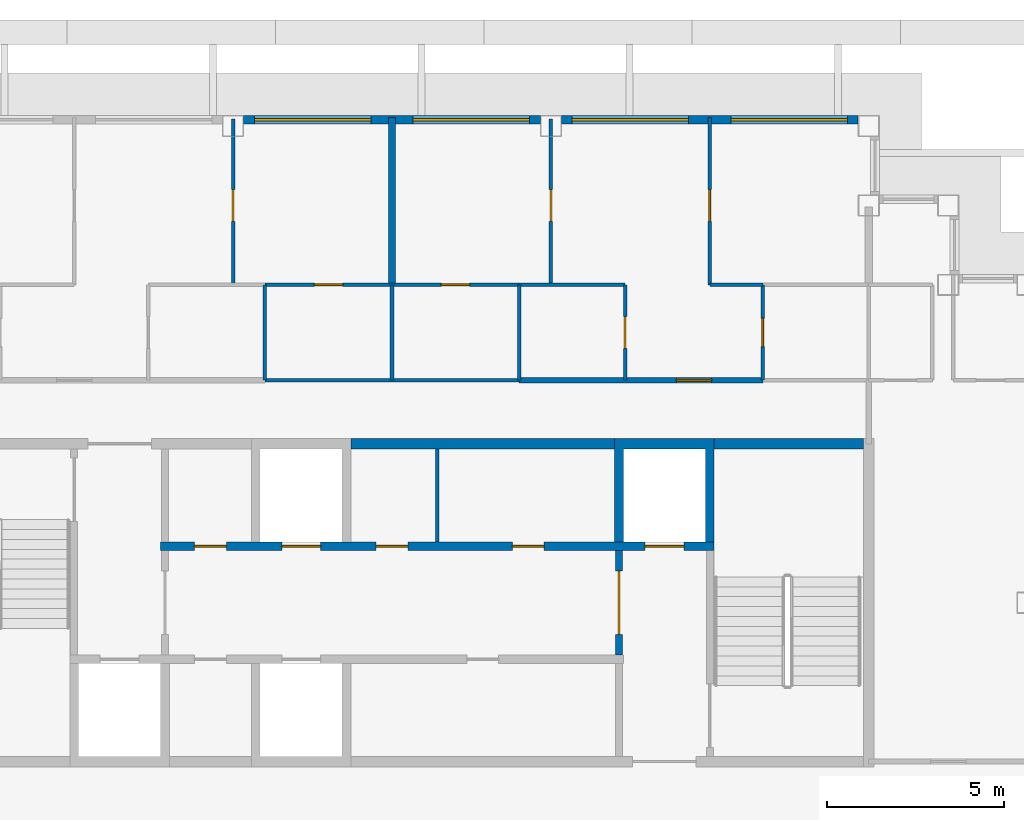
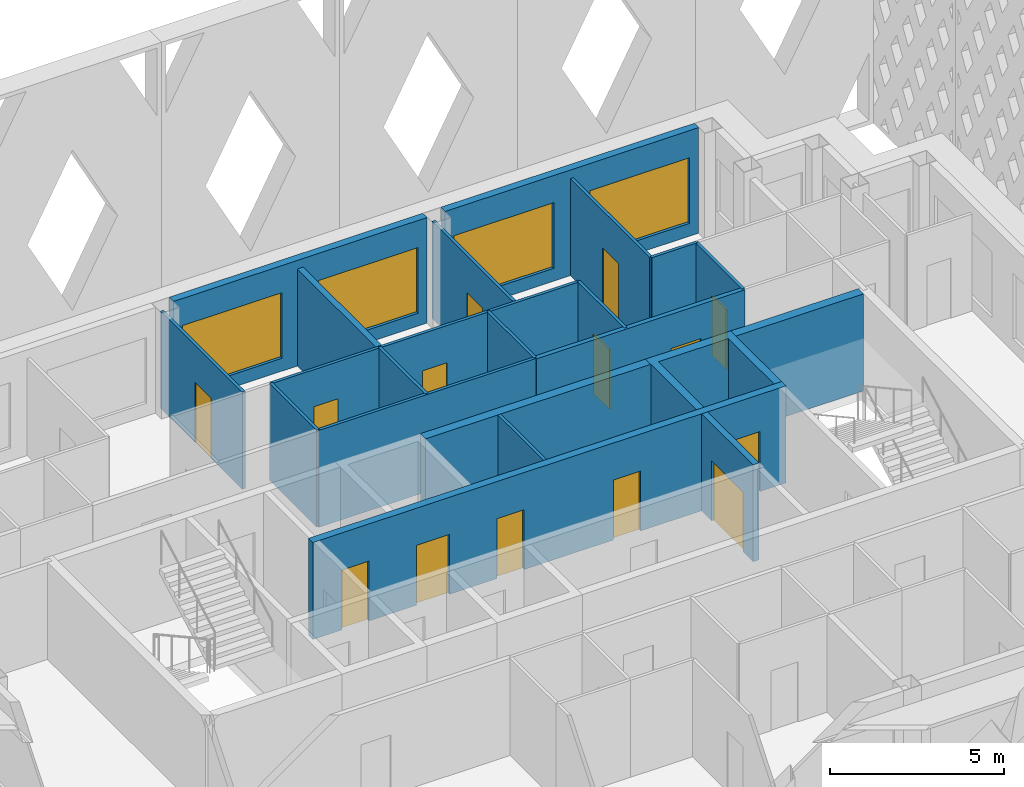
# One storey, part 4 of 13: 22 walls, 14 doors, 4 windows, 18 openings.
"""IFC4 building model written with IfcOpenShell, lengths in metres."""

from ifc_helpers import new_model, si_unit, direction, frame, frame_2d, origin, place, context, subcontext, project, spatial, polyline, rectangle, outline, extrude, material, layer, layer_set, type_object, element, fill, save


model = new_model("IFC4")

# Units and contexts
model_context = context("Model", 3, precision=1e-05, world=origin(), true_north=direction((0.0, 1.0)))
body_context = subcontext(model_context, "Body", "Model", "MODEL_VIEW")
ifc_project = project(units=[si_unit("LENGTHUNIT", "METRE"), si_unit("AREAUNIT", "SQUARE_METRE"), si_unit("VOLUMEUNIT", "CUBIC_METRE"), si_unit("PLANEANGLEUNIT", "RADIAN"), si_unit("MASSUNIT", "GRAM", prefix="KILO")], contexts=[model_context])

# Site, building, storey
site_placement = place(None, origin())
site = spatial("IfcSite", under=ifc_project, at=site_placement, CompositionType="ELEMENT")
building_placement = place(site_placement, origin())
building = spatial("IfcBuilding", under=site, at=building_placement, Name="Caravel Reach Hotel and Residences", CompositionType="ELEMENT")
storey_placement = place(building_placement, frame((0.0, 0.0, 283.39990234375)))
storey = spatial("IfcBuildingStorey", under=building, at=storey_placement, Name="L72", CompositionType="ELEMENT", Elevation=283.39990234375)

# Wall
ifc_material_1 = material(Name="Gypsum board on steel stud", Category="steel")
ifc_layer_1 = layer(ifc_material_1, 0.10009765625)
ifc_layer_set_1 = layer_set([ifc_layer_1], Name="Bathroom pod wall 100 mm")
wall_type_1 = type_object("IfcWallType", Name="Bathroom pod wall 100 mm", PredefinedType="PARTITIONING", material=ifc_layer_set_1)
wall_1_placement = place(storey_placement, frame((27.89990234375, 33.300048828125, 0.0), z_axis=(0.0, 0.0, 1.0), x_axis=(1.0, 0.0, 0.0)))
element("IfcWall", 1, at=wall_1_placement, inside=storey, type_object=wall_type_1, Name="L72 wall w054", PredefinedType="PARTITIONING", context=body_context, shape_type="SweptSolid", body=[
    extrude(rectangle(XDim=7.2001953125, YDim=0.10009765625, at=frame_2d((3.60009765625, 0.0))), origin(), (0.0, 0.0, 1.0), 3.400146484375),
])

# Wall, openings, doors
wall_2_placement = place(storey_placement, frame((27.89990234375, 36.0, 0.0), z_axis=(0.0, 0.0, 1.0), x_axis=(1.0, 0.0, 0.0)))
wall_2 = element("IfcWall", 2, at=wall_2_placement, inside=storey, type_object=wall_type_1, Name="L72 wall w059", PredefinedType="PARTITIONING", context=body_context, shape_type="SweptSolid", body=[
    extrude(rectangle(XDim=7.2001953125, YDim=0.10009765625, at=frame_2d((3.60009765625, 0.0))), origin(), (0.0, 0.0, 1.0), 3.400146484375),
])
opening_1_placement = place(wall_2_placement, frame((1.39990234375, 0.0, 0.0)))
opening_1 = element("IfcOpeningElement", 3, at=opening_1_placement, cuts=wall_2, Name="Opening D72-019", PredefinedType="OPENING", context=body_context, shape_type="SweptSolid", body=[
    extrude(rectangle(XDim=0.800048828125, YDim=2.10009765625, at=frame_2d((0.39990234375, 1.050048828125))), frame((0.0, 0.06005859375, 0.0), z_axis=(0.0, -1.0, 0.0), x_axis=(1.0, 0.0, 0.0)), (0.0, 0.0, 1.0), 0.1201171875),
])
opening_2_placement = place(wall_2_placement, frame((5.0, 0.0, 0.0)))
opening_2 = element("IfcOpeningElement", 4, at=opening_2_placement, cuts=wall_2, Name="Opening D72-023", PredefinedType="OPENING", context=body_context, shape_type="SweptSolid", body=[
    extrude(rectangle(XDim=0.800048828125, YDim=2.10009765625, at=frame_2d((0.39990234375, 1.050048828125))), frame((0.0, 0.06005859375, 0.0), z_axis=(0.0, -1.0, 0.0), x_axis=(1.0, 0.0, 0.0)), (0.0, 0.0, 1.0), 0.1201171875),
])
ifc_material_2 = material(Name="Timber and steel door leaf", Category="steel")
door_type_1 = type_object("IfcDoorType", Name="Bathroom door 800 x 2100", OperationType="SINGLE_SWING_LEFT", PredefinedType="DOOR", material=ifc_material_2)
door_1_placement = place(opening_1_placement, origin())
door_1 = element("IfcDoor", 5, at=door_1_placement, inside=storey, type_object=door_type_1, Name="door D72-019", OperationType="SINGLE_SWING_RIGHT", OverallHeight=2.10009765625, OverallWidth=0.800048828125, PredefinedType="DOOR", context=body_context, shape_type="SweptSolid", body=[
    extrude(rectangle(XDim=0.800048828125, YDim=2.10009765625, at=frame_2d((0.39990234375, 1.050048828125))), frame((0.0, 0.02490234375, 0.0), z_axis=(0.0, -1.0, 0.0), x_axis=(1.0, 0.0, 0.0)), (0.0, 0.0, 1.0), 0.050048828125),
])
fill(opening_1, door_1)
door_2_placement = place(opening_2_placement, origin())
door_2 = element("IfcDoor", 6, at=door_2_placement, inside=storey, type_object=door_type_1, Name="door D72-023", OperationType="SINGLE_SWING_LEFT", OverallHeight=2.10009765625, OverallWidth=0.800048828125, PredefinedType="DOOR", context=body_context, shape_type="SweptSolid", body=[
    extrude(rectangle(XDim=0.800048828125, YDim=2.10009765625, at=frame_2d((0.39990234375, 1.050048828125))), frame((0.0, 0.02490234375, 0.0), z_axis=(0.0, -1.0, 0.0), x_axis=(1.0, 0.0, 0.0)), (0.0, 0.0, 1.0), 0.050048828125),
])
fill(opening_2, door_2)

# Walls
for number, where, z_axis, x_axis, name in (
    (7, (27.89990234375, 33.300048828125, 0.0), (0.0, 0.0, 1.0), (0.0, 1.0, 0.0), "L72 wall w066"),
    (8, (31.5, 33.300048828125, 0.0), (0.0, 0.0, 1.0), (0.0, 1.0, 0.0), "L72 wall w068"),
    (9, (35.10009765625, 33.300048828125, 0.0), (0.0, 0.0, 1.0), (0.0, 1.0, 0.0), "L72 wall w069"),
):
    element("IfcWall", number, at=place(storey_placement, frame(where, z_axis=z_axis, x_axis=x_axis)), inside=storey, type_object=wall_type_1, Name=name, PredefinedType="PARTITIONING", context=body_context, shape_type="SweptSolid", body=[
        extrude(rectangle(XDim=2.699951171875, YDim=0.10009765625, at=frame_2d((1.35009765625, 0.0))), origin(), (0.0, 0.0, 1.0), 3.400146484375),
    ])

# Wall, opening, door
wall_3_placement = place(storey_placement, frame((42.0, 33.300048828125, 0.0), z_axis=(0.0, 0.0, 1.0), x_axis=(0.0, 1.0, 0.0)))
wall_3 = element("IfcWall", 10, at=wall_3_placement, inside=storey, type_object=wall_type_1, Name="L72 wall w072", PredefinedType="PARTITIONING", context=body_context, shape_type="SweptSolid", body=[
    extrude(rectangle(XDim=2.699951171875, YDim=0.10009765625, at=frame_2d((1.35009765625, 0.0))), origin(), (0.0, 0.0, 1.0), 3.400146484375),
])
opening_3_placement = place(wall_3_placement, frame((0.949951171875, 0.0, 0.0)))
opening_3 = element("IfcOpeningElement", 11, at=opening_3_placement, cuts=wall_3, Name="Opening D72-025", PredefinedType="OPENING", context=body_context, shape_type="SweptSolid", body=[
    extrude(rectangle(XDim=0.800048828125, YDim=2.10009765625, at=frame_2d((0.39990234375, 1.050048828125))), frame((0.0, 0.06005859375, 0.0), z_axis=(0.0, -1.0, 0.0), x_axis=(1.0, 0.0, 0.0)), (0.0, 0.0, 1.0), 0.1201171875),
])
door_3_placement = place(opening_3_placement, origin())
door_3 = element("IfcDoor", 12, at=door_3_placement, inside=storey, type_object=door_type_1, Name="door D72-025", OperationType="SINGLE_SWING_RIGHT", OverallHeight=2.10009765625, OverallWidth=0.800048828125, PredefinedType="DOOR", context=body_context, shape_type="SweptSolid", body=[
    extrude(rectangle(XDim=0.800048828125, YDim=2.10009765625, at=frame_2d((0.39990234375, 1.050048828125))), frame((0.0, 0.02490234375, 0.0), z_axis=(0.0, -1.0, 0.0), x_axis=(1.0, 0.0, 0.0)), (0.0, 0.0, 1.0), 0.050048828125),
])
fill(opening_3, door_3)

# Walls
ifc_material_3 = material(Name="Concrete C60", Category="concrete")
ifc_layer_2 = layer(ifc_material_3, 0.300048828125)
ifc_layer_set_2 = layer_set([ifc_layer_2], Name="Core wall 300 mm EI 120")
wall_type_2 = type_object("IfcWallType", Name="Core wall 300 mm EI 120", PredefinedType="SHEAR", material=ifc_layer_set_2)
wall_4_placement = place(storey_placement, frame((30.33935546875, 31.5, 0.0), z_axis=(0.0, 0.0, 1.0), x_axis=(1.0, 0.0, 0.0)))
element("IfcWall", 13, at=wall_4_placement, inside=storey, type_object=wall_type_2, Name="L72 core wall N2", PredefinedType="SHEAR", context=body_context, shape_type="SweptSolid", body=[
    extrude(rectangle(XDim=7.464111328125, YDim=0.300048828125, at=frame_2d((3.73193359375, 0.0))), origin(), (0.0, 0.0, 1.0), 3.400146484375),
])
wall_5_placement = place(storey_placement, frame((40.625, 31.5, 0.0), z_axis=(0.0, 0.0, 1.0), x_axis=(1.0, 0.0, 0.0)))
element("IfcWall", 14, at=wall_5_placement, inside=storey, type_object=wall_type_2, Name="L72 core wall N3", PredefinedType="SHEAR", context=body_context, shape_type="SweptSolid", body=[
    extrude(rectangle(XDim=4.22509765625, YDim=0.300048828125, at=frame_2d((2.112548828125, 0.0))), origin(), (0.0, 0.0, 1.0), 3.400146484375),
])

# Wall, opening, door
ifc_material_4 = material(Name="Gypsum board on steel stud, fire-rated", Category="steel")
ifc_layer_3 = layer(ifc_material_4, 0.14990234375)
ifc_layer_set_3 = layer_set([ifc_layer_3], Name="Corridor wall 150 mm EI 60")
wall_type_3 = type_object("IfcWallType", Name="Corridor wall 150 mm EI 60", PredefinedType="PARTITIONING", material=ifc_layer_set_3)
wall_6_placement = place(storey_placement, frame((35.10009765625, 33.300048828125, 0.0), z_axis=(0.0, 0.0, 1.0), x_axis=(1.0, 0.0, 0.0)))
wall_6 = element("IfcWall", 15, at=wall_6_placement, inside=storey, type_object=wall_type_3, Name="L72 wall w013", PredefinedType="PARTITIONING", context=body_context, shape_type="SweptSolid", body=[
    extrude(rectangle(XDim=6.89990234375, YDim=0.14990234375, at=frame_2d((3.449951171875, 0.0))), origin(), (0.0, 0.0, 1.0), 3.400146484375),
])
opening_4_placement = place(wall_6_placement, frame((4.449951171875, 0.0, 0.0)))
opening_4 = element("IfcOpeningElement", 16, at=opening_4_placement, cuts=wall_6, Name="Opening D72-022", PredefinedType="OPENING", context=body_context, shape_type="SweptSolid", body=[
    extrude(rectangle(XDim=1.0, YDim=2.199951171875, at=frame_2d((0.5, 1.10009765625))), frame((0.0, 0.0849609375, 0.0), z_axis=(0.0, -1.0, 0.0), x_axis=(1.0, 0.0, 0.0)), (0.0, 0.0, 1.0), 0.169921875),
])
ifc_material_5 = material(Name="Steel fire door leaf", Category="steel")
door_type_2 = type_object("IfcDoorType", Name="Flat entrance door 1000 x 2200 EI 60", OperationType="SINGLE_SWING_LEFT", PredefinedType="DOOR", material=ifc_material_5)
door_4_placement = place(opening_4_placement, origin())
door_4 = element("IfcDoor", 17, at=door_4_placement, inside=storey, type_object=door_type_2, Name="door D72-022", OperationType="SINGLE_SWING_LEFT", OverallHeight=2.199951171875, OverallWidth=1.0, PredefinedType="DOOR", context=body_context, shape_type="SweptSolid", body=[
    extrude(rectangle(XDim=1.0, YDim=2.199951171875, at=frame_2d((0.5, 1.10009765625))), frame((0.0, 0.02490234375, 0.0), z_axis=(0.0, -1.0, 0.0), x_axis=(1.0, 0.0, 0.0)), (0.0, 0.0, 1.0), 0.050048828125),
])
fill(opening_4, door_4)

# Wall, openings, windows
ifc_material_6 = material(Name="Insulated rainscreen wall, aluminium cladding", Category="aluminium")
ifc_layer_4 = layer(ifc_material_6, 0.25)
ifc_layer_set_4 = layer_set([ifc_layer_4], Name="EW1 Tower rainscreen wall")
wall_type_4 = type_object("IfcWallType", Name="EW1 Tower rainscreen wall", PredefinedType="SOLIDWALL", material=ifc_layer_set_4)
wall_7_placement = place(storey_placement, frame((44.699951171875, 40.675048828125, 0.0), z_axis=(0.0, 0.0, 1.0), x_axis=(-1.0, 0.0, 0.0)))
wall_7 = element("IfcWall", 18, at=wall_7_placement, inside=storey, type_object=wall_type_4, Name="External wall L72 N10.1", PredefinedType="SOLIDWALL", context=body_context, shape_type="SweptSolid", body=[
    extrude(rectangle(XDim=8.39990234375, YDim=0.25, at=frame_2d((4.199951171875, 0.0))), origin(), (0.0, 0.0, 1.0), 3.7001953125),
])
opening_5_placement = place(wall_7_placement, frame((0.300048828125, 0.0, 0.449951171875)))
opening_5 = element("IfcOpeningElement", 19, at=opening_5_placement, cuts=wall_7, Name="Opening WN15", PredefinedType="OPENING", context=body_context, shape_type="SweptSolid", body=[
    extrude(rectangle(XDim=3.300048828125, YDim=2.300048828125, at=frame_2d((1.64990234375, 1.14990234375))), frame((0.0, 0.135009765625, 0.0), z_axis=(0.0, -1.0, 0.0), x_axis=(1.0, 0.0, 0.0)), (0.0, 0.0, 1.0), 0.27001953125),
])
opening_6_placement = place(wall_7_placement, frame((4.800048828125, 0.0, 0.449951171875)))
opening_6 = element("IfcOpeningElement", 20, at=opening_6_placement, cuts=wall_7, Name="Opening WN15", PredefinedType="OPENING", context=body_context, shape_type="SweptSolid", body=[
    extrude(rectangle(XDim=3.300048828125, YDim=2.300048828125, at=frame_2d((1.64990234375, 1.14990234375))), frame((0.0, 0.135009765625, 0.0), z_axis=(0.0, -1.0, 0.0), x_axis=(1.0, 0.0, 0.0)), (0.0, 0.0, 1.0), 0.27001953125),
])
ifc_material_7 = material(Name="Dark low-e glazing in black aluminium frame", Category="aluminium")
window_type = type_object("IfcWindowType", Name="Residence living window 3300 x 2300", PartitioningType="SINGLE_PANEL", PredefinedType="WINDOW", material=ifc_material_7)
window_1_placement = place(opening_5_placement, origin())
window_1 = element("IfcWindow", 21, at=window_1_placement, inside=storey, type_object=window_type, Name="Window L72 N10.1.1", OverallHeight=2.300048828125, OverallWidth=3.300048828125, PartitioningType="SINGLE_PANEL", PredefinedType="WINDOW", context=body_context, shape_type="SweptSolid", body=[
    extrude(rectangle(XDim=3.300048828125, YDim=2.300048828125, at=frame_2d((1.64990234375, 1.14990234375))), frame((0.0, 0.030029296875, 0.0), z_axis=(0.0, -1.0, 0.0), x_axis=(1.0, 0.0, 0.0)), (0.0, 0.0, 1.0), 0.06005859375),
])
fill(opening_5, window_1)
window_2_placement = place(opening_6_placement, origin())
window_2 = element("IfcWindow", 22, at=window_2_placement, inside=storey, type_object=window_type, Name="Window L72 N10.1.2", OverallHeight=2.300048828125, OverallWidth=3.300048828125, PartitioningType="SINGLE_PANEL", PredefinedType="WINDOW", context=body_context, shape_type="SweptSolid", body=[
    extrude(rectangle(XDim=3.300048828125, YDim=2.300048828125, at=frame_2d((1.64990234375, 1.14990234375))), frame((0.0, 0.030029296875, 0.0), z_axis=(0.0, -1.0, 0.0), x_axis=(1.0, 0.0, 0.0)), (0.0, 0.0, 1.0), 0.06005859375),
])
fill(opening_6, window_2)

wall_8_placement = place(storey_placement, frame((35.699951171875, 40.675048828125, 0.0), z_axis=(0.0, 0.0, 1.0), x_axis=(-1.0, 0.0, 0.0)))
wall_8 = element("IfcWall", 23, at=wall_8_placement, inside=storey, type_object=wall_type_4, Name="External wall L72 N10.2", PredefinedType="SOLIDWALL", context=body_context, shape_type="SweptSolid", body=[
    extrude(rectangle(XDim=8.39990234375, YDim=0.25, at=frame_2d((4.199951171875, 0.0))), origin(), (0.0, 0.0, 1.0), 3.7001953125),
])
opening_7_placement = place(wall_8_placement, frame((0.300048828125, 0.0, 0.449951171875)))
opening_7 = element("IfcOpeningElement", 24, at=opening_7_placement, cuts=wall_8, Name="Opening WN15", PredefinedType="OPENING", context=body_context, shape_type="SweptSolid", body=[
    extrude(rectangle(XDim=3.300048828125, YDim=2.300048828125, at=frame_2d((1.64990234375, 1.14990234375))), frame((0.0, 0.135009765625, 0.0), z_axis=(0.0, -1.0, 0.0), x_axis=(1.0, 0.0, 0.0)), (0.0, 0.0, 1.0), 0.27001953125),
])
opening_8_placement = place(wall_8_placement, frame((4.800048828125, 0.0, 0.449951171875)))
opening_8 = element("IfcOpeningElement", 25, at=opening_8_placement, cuts=wall_8, Name="Opening WN15", PredefinedType="OPENING", context=body_context, shape_type="SweptSolid", body=[
    extrude(rectangle(XDim=3.300048828125, YDim=2.300048828125, at=frame_2d((1.64990234375, 1.14990234375))), frame((0.0, 0.135009765625, 0.0), z_axis=(0.0, -1.0, 0.0), x_axis=(1.0, 0.0, 0.0)), (0.0, 0.0, 1.0), 0.27001953125),
])
window_3_placement = place(opening_7_placement, origin())
window_3 = element("IfcWindow", 26, at=window_3_placement, inside=storey, type_object=window_type, Name="Window L72 N10.2.1", OverallHeight=2.300048828125, OverallWidth=3.300048828125, PartitioningType="SINGLE_PANEL", PredefinedType="WINDOW", context=body_context, shape_type="SweptSolid", body=[
    extrude(rectangle(XDim=3.300048828125, YDim=2.300048828125, at=frame_2d((1.64990234375, 1.14990234375))), frame((0.0, 0.030029296875, 0.0), z_axis=(0.0, -1.0, 0.0), x_axis=(1.0, 0.0, 0.0)), (0.0, 0.0, 1.0), 0.06005859375),
])
fill(opening_7, window_3)
window_4_placement = place(opening_8_placement, origin())
window_4 = element("IfcWindow", 27, at=window_4_placement, inside=storey, type_object=window_type, Name="Window L72 N10.2.2", OverallHeight=2.300048828125, OverallWidth=3.300048828125, PartitioningType="SINGLE_PANEL", PredefinedType="WINDOW", context=body_context, shape_type="SweptSolid", body=[
    extrude(rectangle(XDim=3.300048828125, YDim=2.300048828125, at=frame_2d((1.64990234375, 1.14990234375))), frame((0.0, 0.030029296875, 0.0), z_axis=(0.0, -1.0, 0.0), x_axis=(1.0, 0.0, 0.0)), (0.0, 0.0, 1.0), 0.06005859375),
])
fill(opening_8, window_4)

# Wall, opening, door
ifc_material_8 = material(Name="Autoclaved aerated block wall")
ifc_layer_5 = layer(ifc_material_8, 0.199951171875)
ifc_layer_set_5 = layer_set([ifc_layer_5], Name="Fire lobby wall 200 mm EI 120")
wall_type_5 = type_object("IfcWallType", Name="Fire lobby wall 200 mm EI 120", PredefinedType="PARTITIONING", material=ifc_layer_set_5)
wall_9_placement = place(storey_placement, frame((37.928466796875, 25.52490234375, 0.0), z_axis=(0.0, 0.0, 1.0), x_axis=(0.0, 1.0, 0.0)))
wall_9 = element("IfcWall", 28, at=wall_9_placement, inside=storey, type_object=wall_type_5, Name="L72 lobby E wall", PredefinedType="PARTITIONING", context=body_context, shape_type="SweptSolid", body=[
    extrude(rectangle(XDim=2.9501953125, YDim=0.199951171875, at=frame_2d((1.47509765625, 0.0))), origin(), (0.0, 0.0, 1.0), 3.400146484375),
])
opening_9_placement = place(wall_9_placement, frame((0.574951171875, 0.0, 0.0)))
opening_9 = element("IfcOpeningElement", 29, at=opening_9_placement, cuts=wall_9, Name="Opening D72-013", PredefinedType="OPENING", context=body_context, shape_type="SweptSolid", body=[
    extrude(rectangle(XDim=1.800048828125, YDim=2.10009765625, at=frame_2d((0.89990234375, 1.050048828125))), frame((0.0, 0.10986328125, 0.0), z_axis=(0.0, -1.0, 0.0), x_axis=(1.0, 0.0, 0.0)), (0.0, 0.0, 1.0), 0.219970703125),
])
ifc_material_9 = material(Name="Steel fire door leaf", Category="steel")
door_type_3 = type_object("IfcDoorType", Name="Fire lobby door pair 1800 x 2100 EI 90", OperationType="DOUBLE_DOOR_SINGLE_SWING", PredefinedType="DOOR", material=ifc_material_9)
door_5_placement = place(opening_9_placement, origin())
door_5 = element("IfcDoor", 30, at=door_5_placement, inside=storey, type_object=door_type_3, Name="lobby E door pair", OperationType="DOUBLE_DOOR_SINGLE_SWING", OverallHeight=2.10009765625, OverallWidth=1.800048828125, PredefinedType="DOOR", context=body_context, shape_type="SweptSolid", body=[
    extrude(rectangle(XDim=1.800048828125, YDim=2.10009765625, at=frame_2d((0.89990234375, 1.050048828125))), frame((0.0, 0.02490234375, 0.0), z_axis=(0.0, -1.0, 0.0), x_axis=(1.0, 0.0, 0.0)), (0.0, 0.0, 1.0), 0.050048828125),
])
fill(opening_9, door_5)

# Walls
ifc_material_10 = material(Name="Gypsum board on steel stud", Category="steel")
ifc_layer_6 = layer(ifc_material_10, 0.10009765625)
ifc_layer_set_6 = layer_set([ifc_layer_6], Name="Partition 100 mm")
wall_type_6 = type_object("IfcWallType", Name="Partition 100 mm", PredefinedType="PARTITIONING", material=ifc_layer_set_6)
wall_10_placement = place(storey_placement, frame((32.78564453125, 28.72509765625, 0.0), z_axis=(0.0, 0.0, 1.0), x_axis=(0.0, 1.0, 0.0)))
element("IfcWall", 31, at=wall_10_placement, inside=storey, type_object=wall_type_6, Name="L72 store partition", PredefinedType="PARTITIONING", context=body_context, shape_type="SweptSolid", body=[
    extrude(rectangle(XDim=2.625, YDim=0.10009765625, at=frame_2d((1.3125, 0.0))), origin(), (0.0, 0.0, 1.0), 3.400146484375),
])
wall_11_placement = place(storey_placement, frame((40.5, 36.0, 0.0), z_axis=(0.0, 0.0, 1.0), x_axis=(1.0, 0.0, 0.0)))
element("IfcWall", 32, at=wall_11_placement, inside=storey, type_object=wall_type_6, Name="L72 wall w026", PredefinedType="PARTITIONING", context=body_context, shape_type="SweptSolid", body=[
    extrude(rectangle(XDim=1.5, YDim=0.10009765625, at=frame_2d((0.75, 0.0))), origin(), (0.0, 0.0, 1.0), 3.400146484375),
])
wall_12_placement = place(storey_placement, frame((35.10009765625, 36.0, 0.0), z_axis=(0.0, 0.0, 1.0), x_axis=(1.0, 0.0, 0.0)))
element("IfcWall", 33, at=wall_12_placement, inside=storey, type_object=wall_type_6, Name="L72 wall w027", PredefinedType="PARTITIONING", context=body_context, shape_type="SweptSolid", body=[
    extrude(rectangle(XDim=3.0, YDim=0.10009765625, at=frame_2d((1.5, 0.0))), origin(), (0.0, 0.0, 1.0), 3.400146484375),
])

# Wall, opening, door
wall_13_placement = place(storey_placement, frame((27.0, 36.0, 0.0), z_axis=(0.0, 0.0, 1.0), x_axis=(0.0, 1.0, 0.0)))
wall_13 = element("IfcWall", 34, at=wall_13_placement, inside=storey, type_object=wall_type_6, Name="L72 wall w034", PredefinedType="PARTITIONING", context=body_context, shape_type="SweptSolid", body=[
    extrude(rectangle(XDim=4.68994140625, YDim=0.10009765625, at=frame_2d((2.344970703125, 0.0))), origin(), (0.0, 0.0, 1.0), 3.400146484375),
])
opening_10_placement = place(wall_13_placement, frame((1.800048828125, 0.0, 0.0)))
opening_10 = element("IfcOpeningElement", 35, at=opening_10_placement, cuts=wall_13, Name="Opening D72-021", PredefinedType="OPENING", context=body_context, shape_type="SweptSolid", body=[
    extrude(rectangle(XDim=0.89990234375, YDim=2.10009765625, at=frame_2d((0.449951171875, 1.050048828125))), frame((0.0, 0.06005859375, 0.0), z_axis=(0.0, -1.0, 0.0), x_axis=(1.0, 0.0, 0.0)), (0.0, 0.0, 1.0), 0.1201171875),
])
ifc_material_11 = material(Name="Timber and steel door leaf", Category="steel")
door_type_4 = type_object("IfcDoorType", Name="Door 900 x 2100 timber", OperationType="SINGLE_SWING_LEFT", PredefinedType="DOOR", material=ifc_material_11)
door_6_placement = place(opening_10_placement, origin())
door_6 = element("IfcDoor", 36, at=door_6_placement, inside=storey, type_object=door_type_4, Name="door D72-021", OperationType="SINGLE_SWING_RIGHT", OverallHeight=2.10009765625, OverallWidth=0.89990234375, PredefinedType="DOOR", context=body_context, shape_type="SweptSolid", body=[
    extrude(rectangle(XDim=0.89990234375, YDim=2.10009765625, at=frame_2d((0.449951171875, 1.050048828125))), frame((0.0, 0.02490234375, 0.0), z_axis=(0.0, -1.0, 0.0), x_axis=(1.0, 0.0, 0.0)), (0.0, 0.0, 1.0), 0.050048828125),
])
fill(opening_10, door_6)

wall_14_placement = place(storey_placement, frame((36.0, 36.0, 0.0), z_axis=(0.0, 0.0, 1.0), x_axis=(0.0, 1.0, 0.0)))
wall_14 = element("IfcWall", 37, at=wall_14_placement, inside=storey, type_object=wall_type_6, Name="L72 wall w038", PredefinedType="PARTITIONING", context=body_context, shape_type="SweptSolid", body=[
    extrude(rectangle(XDim=4.68994140625, YDim=0.10009765625, at=frame_2d((2.344970703125, 0.0))), origin(), (0.0, 0.0, 1.0), 3.400146484375),
])
opening_11_placement = place(wall_14_placement, frame((1.800048828125, 0.0, 0.0)))
opening_11 = element("IfcOpeningElement", 38, at=opening_11_placement, cuts=wall_14, Name="Opening D72-026", PredefinedType="OPENING", context=body_context, shape_type="SweptSolid", body=[
    extrude(rectangle(XDim=0.89990234375, YDim=2.10009765625, at=frame_2d((0.449951171875, 1.050048828125))), frame((0.0, 0.06005859375, 0.0), z_axis=(0.0, -1.0, 0.0), x_axis=(1.0, 0.0, 0.0)), (0.0, 0.0, 1.0), 0.1201171875),
])
door_7_placement = place(opening_11_placement, origin())
door_7 = element("IfcDoor", 39, at=door_7_placement, inside=storey, type_object=door_type_4, Name="door D72-026", OperationType="SINGLE_SWING_RIGHT", OverallHeight=2.10009765625, OverallWidth=0.89990234375, PredefinedType="DOOR", context=body_context, shape_type="SweptSolid", body=[
    extrude(rectangle(XDim=0.89990234375, YDim=2.10009765625, at=frame_2d((0.449951171875, 1.050048828125))), frame((0.0, 0.02490234375, 0.0), z_axis=(0.0, -1.0, 0.0), x_axis=(1.0, 0.0, 0.0)), (0.0, 0.0, 1.0), 0.050048828125),
])
fill(opening_11, door_7)

wall_15_placement = place(storey_placement, frame((38.10009765625, 33.300048828125, 0.0), z_axis=(0.0, 0.0, 1.0), x_axis=(0.0, 1.0, 0.0)))
wall_15 = element("IfcWall", 40, at=wall_15_placement, inside=storey, type_object=wall_type_6, Name="L72 wall w039", PredefinedType="PARTITIONING", context=body_context, shape_type="SweptSolid", body=[
    extrude(rectangle(XDim=2.699951171875, YDim=0.10009765625, at=frame_2d((1.35009765625, 0.0))), origin(), (0.0, 0.0, 1.0), 3.400146484375),
])
opening_12_placement = place(wall_15_placement, frame((0.89990234375, 0.0, 0.0)))
opening_12 = element("IfcOpeningElement", 41, at=opening_12_placement, cuts=wall_15, Name="Opening D72-024", PredefinedType="OPENING", context=body_context, shape_type="SweptSolid", body=[
    extrude(rectangle(XDim=0.89990234375, YDim=2.10009765625, at=frame_2d((0.449951171875, 1.050048828125))), frame((0.0, 0.06005859375, 0.0), z_axis=(0.0, -1.0, 0.0), x_axis=(1.0, 0.0, 0.0)), (0.0, 0.0, 1.0), 0.1201171875),
])
door_8_placement = place(opening_12_placement, origin())
door_8 = element("IfcDoor", 42, at=door_8_placement, inside=storey, type_object=door_type_4, Name="door D72-024", OperationType="SINGLE_SWING_LEFT", OverallHeight=2.10009765625, OverallWidth=0.89990234375, PredefinedType="DOOR", context=body_context, shape_type="SweptSolid", body=[
    extrude(rectangle(XDim=0.89990234375, YDim=2.10009765625, at=frame_2d((0.449951171875, 1.050048828125))), frame((0.0, 0.02490234375, 0.0), z_axis=(0.0, -1.0, 0.0), x_axis=(1.0, 0.0, 0.0)), (0.0, 0.0, 1.0), 0.050048828125),
])
fill(opening_12, door_8)

wall_16_placement = place(storey_placement, frame((40.5, 36.0, 0.0), z_axis=(0.0, 0.0, 1.0), x_axis=(0.0, 1.0, 0.0)))
wall_16 = element("IfcWall", 43, at=wall_16_placement, inside=storey, type_object=wall_type_6, Name="L72 wall w040", PredefinedType="PARTITIONING", context=body_context, shape_type="SweptSolid", body=[
    extrude(rectangle(XDim=4.739990234375, YDim=0.10009765625, at=frame_2d((2.3701171875, 0.0))), origin(), (0.0, 0.0, 1.0), 3.400146484375),
])
opening_13_placement = place(wall_16_placement, frame((1.800048828125, 0.0, 0.0)))
opening_13 = element("IfcOpeningElement", 44, at=opening_13_placement, cuts=wall_16, Name="Opening D72-027", PredefinedType="OPENING", context=body_context, shape_type="SweptSolid", body=[
    extrude(rectangle(XDim=0.89990234375, YDim=2.10009765625, at=frame_2d((0.449951171875, 1.050048828125))), frame((0.0, 0.06005859375, 0.0), z_axis=(0.0, -1.0, 0.0), x_axis=(1.0, 0.0, 0.0)), (0.0, 0.0, 1.0), 0.1201171875),
])
door_9_placement = place(opening_13_placement, origin())
door_9 = element("IfcDoor", 45, at=door_9_placement, inside=storey, type_object=door_type_4, Name="door D72-027", OperationType="SINGLE_SWING_RIGHT", OverallHeight=2.10009765625, OverallWidth=0.89990234375, PredefinedType="DOOR", context=body_context, shape_type="SweptSolid", body=[
    extrude(rectangle(XDim=0.89990234375, YDim=2.10009765625, at=frame_2d((0.449951171875, 1.050048828125))), frame((0.0, 0.02490234375, 0.0), z_axis=(0.0, -1.0, 0.0), x_axis=(1.0, 0.0, 0.0)), (0.0, 0.0, 1.0), 0.050048828125),
])
fill(opening_13, door_9)

# Walls
ifc_material_12 = material(Name="Autoclaved aerated block wall")
ifc_layer_7 = layer(ifc_material_12, 0.199951171875)
ifc_layer_set_7 = layer_set([ifc_layer_7], Name="Party wall 200 mm EI 60")
wall_type_7 = type_object("IfcWallType", Name="Party wall 200 mm EI 60", PredefinedType="PARTITIONING", material=ifc_layer_set_7)
wall_17_placement = place(storey_placement, frame((31.5, 36.0, 0.0), z_axis=(0.0, 0.0, 1.0), x_axis=(0.0, 1.0, 0.0)))
element("IfcWall", 46, at=wall_17_placement, inside=storey, type_object=wall_type_7, Name="L72 wall w045", PredefinedType="PARTITIONING", context=body_context, shape_type="SweptSolid", body=[
    extrude(rectangle(XDim=4.739990234375, YDim=0.199951171875, at=frame_2d((2.3701171875, 0.0))), origin(), (0.0, 0.0, 1.0), 3.400146484375),
])
ifc_material_13 = material(Name="Concrete C60", Category="concrete")
ifc_layer_8 = layer(ifc_material_13, 0.25)
ifc_layer_set_8 = layer_set([ifc_layer_8], Name="Shaft wall 250 mm EI 120")
wall_type_8 = type_object("IfcWallType", Name="Shaft wall 250 mm EI 120", PredefinedType="SHEAR", material=ifc_layer_set_8)
wall_18_placement = place(storey_placement, origin())
element("IfcWall", 47, at=wall_18_placement, inside=storey, type_object=wall_type_8, Name="L72 lift shaft wall N2", PredefinedType="SHEAR", context=body_context, shape_type="SweptSolid", body=[
    extrude(outline(polyline([(37.803466796875, 28.72509765625), (38.053466796875, 28.72509765625), (38.053466796875, 31.35009765625), (40.375, 31.35009765625), (40.375, 28.72509765625), (40.625, 28.72509765625), (40.625, 31.64990234375), (37.803466796875, 31.64990234375), (37.803466796875, 28.72509765625)])), origin(), (0.0, 0.0, 1.0), 3.400146484375),
])

# Wall, openings, doors
wall_19_placement = place(storey_placement, frame((24.946533203125, 28.60009765625, 0.0), z_axis=(0.0, 0.0, 1.0), x_axis=(1.0, 0.0, 0.0)))
wall_19 = element("IfcWall", 48, at=wall_19_placement, inside=storey, type_object=wall_type_8, Name="L72 lobby wall N1", PredefinedType="SHEAR", context=body_context, shape_type="SweptSolid", body=[
    extrude(rectangle(XDim=15.678466796875, YDim=0.25, at=frame_2d((7.83935546875, 0.0))), origin(), (0.0, 0.0, 1.0), 3.400146484375),
])
opening_14_placement = place(wall_19_placement, frame((3.43212890625, 0.0, 0.0)))
opening_14 = element("IfcOpeningElement", 49, at=opening_14_placement, cuts=wall_19, Name="Opening D72-002", PredefinedType="OPENING", context=body_context, shape_type="SweptSolid", body=[
    extrude(rectangle(XDim=1.10009765625, YDim=2.10009765625, at=frame_2d((0.550048828125, 1.050048828125))), frame((0.0, 0.135009765625, 0.0), z_axis=(0.0, -1.0, 0.0), x_axis=(1.0, 0.0, 0.0)), (0.0, 0.0, 1.0), 0.27001953125),
])
opening_15_placement = place(wall_19_placement, frame((13.718017578125, 0.0, 0.0)))
opening_15 = element("IfcOpeningElement", 50, at=opening_15_placement, cuts=wall_19, Name="Opening D72-004", PredefinedType="OPENING", context=body_context, shape_type="SweptSolid", body=[
    extrude(rectangle(XDim=1.10009765625, YDim=2.10009765625, at=frame_2d((0.550048828125, 1.050048828125))), frame((0.0, 0.135009765625, 0.0), z_axis=(0.0, -1.0, 0.0), x_axis=(1.0, 0.0, 0.0)), (0.0, 0.0, 1.0), 0.27001953125),
])
opening_16_placement = place(wall_19_placement, frame((0.960693359375, 0.0, 0.0)))
opening_16 = element("IfcOpeningElement", 51, at=opening_16_placement, cuts=wall_19, Name="Opening D72-007", PredefinedType="OPENING", context=body_context, shape_type="SweptSolid", body=[
    extrude(rectangle(XDim=0.89990234375, YDim=2.10009765625, at=frame_2d((0.449951171875, 1.050048828125))), frame((0.0, 0.135009765625, 0.0), z_axis=(0.0, -1.0, 0.0), x_axis=(1.0, 0.0, 0.0)), (0.0, 0.0, 1.0), 0.27001953125),
])
opening_17_placement = place(wall_19_placement, frame((6.103515625, 0.0, 0.0)))
opening_17 = element("IfcOpeningElement", 52, at=opening_17_placement, cuts=wall_19, Name="Opening D72-008", PredefinedType="OPENING", context=body_context, shape_type="SweptSolid", body=[
    extrude(rectangle(XDim=0.89990234375, YDim=2.10009765625, at=frame_2d((0.449951171875, 1.050048828125))), frame((0.0, 0.135009765625, 0.0), z_axis=(0.0, -1.0, 0.0), x_axis=(1.0, 0.0, 0.0)), (0.0, 0.0, 1.0), 0.27001953125),
])
opening_18_placement = place(wall_19_placement, frame((9.960693359375, 0.0, 0.0)))
opening_18 = element("IfcOpeningElement", 53, at=opening_18_placement, cuts=wall_19, Name="Opening D72-009", PredefinedType="OPENING", context=body_context, shape_type="SweptSolid", body=[
    extrude(rectangle(XDim=0.89990234375, YDim=2.10009765625, at=frame_2d((0.449951171875, 1.050048828125))), frame((0.0, 0.135009765625, 0.0), z_axis=(0.0, -1.0, 0.0), x_axis=(1.0, 0.0, 0.0)), (0.0, 0.0, 1.0), 0.27001953125),
])
ifc_material_14 = material(Name="Stainless steel landing door", Category="steel")
door_type_5 = type_object("IfcDoorType", Name="Landing door LD 1100 x 2100 sliding", OperationType="DOUBLE_DOOR_SLIDING", PredefinedType="DOOR", material=ifc_material_14)
door_10_placement = place(opening_14_placement, origin())
door_10 = element("IfcDoor", 54, at=door_10_placement, inside=storey, type_object=door_type_5, Name="HP2 landing door", OperationType="DOUBLE_DOOR_SLIDING", OverallHeight=2.10009765625, OverallWidth=1.10009765625, PredefinedType="DOOR", context=body_context, shape_type="SweptSolid", body=[
    extrude(rectangle(XDim=1.10009765625, YDim=2.10009765625, at=frame_2d((0.550048828125, 1.050048828125))), frame((0.0, 0.02490234375, 0.0), z_axis=(0.0, -1.0, 0.0), x_axis=(1.0, 0.0, 0.0)), (0.0, 0.0, 1.0), 0.050048828125),
])
fill(opening_14, door_10)
door_11_placement = place(opening_15_placement, origin())
door_11 = element("IfcDoor", 55, at=door_11_placement, inside=storey, type_object=door_type_5, Name="FL2 landing door", OperationType="DOUBLE_DOOR_SLIDING", OverallHeight=2.10009765625, OverallWidth=1.10009765625, PredefinedType="DOOR", context=body_context, shape_type="SweptSolid", body=[
    extrude(rectangle(XDim=1.10009765625, YDim=2.10009765625, at=frame_2d((0.550048828125, 1.050048828125))), frame((0.0, 0.02490234375, 0.0), z_axis=(0.0, -1.0, 0.0), x_axis=(1.0, 0.0, 0.0)), (0.0, 0.0, 1.0), 0.050048828125),
])
fill(opening_15, door_11)
ifc_material_15 = material(Name="Steel fire door leaf", Category="steel")
door_type_6 = type_object("IfcDoorType", Name="Riser door 900 x 2100 EI 60", OperationType="SINGLE_SWING_LEFT", PredefinedType="DOOR", material=ifc_material_15)
door_12_placement = place(opening_16_placement, origin())
door_12 = element("IfcDoor", 56, at=door_12_placement, inside=storey, type_object=door_type_6, Name="Comms room door", OperationType="SINGLE_SWING_LEFT", OverallHeight=2.10009765625, OverallWidth=0.89990234375, PredefinedType="DOOR", context=body_context, shape_type="SweptSolid", body=[
    extrude(rectangle(XDim=0.89990234375, YDim=2.10009765625, at=frame_2d((0.449951171875, 1.050048828125))), frame((0.0, 0.02490234375, 0.0), z_axis=(0.0, -1.0, 0.0), x_axis=(1.0, 0.0, 0.0)), (0.0, 0.0, 1.0), 0.050048828125),
])
fill(opening_16, door_12)
door_13_placement = place(opening_17_placement, origin())
door_13 = element("IfcDoor", 57, at=door_13_placement, inside=storey, type_object=door_type_6, Name="Refuse store door", OperationType="SINGLE_SWING_LEFT", OverallHeight=2.10009765625, OverallWidth=0.89990234375, PredefinedType="DOOR", context=body_context, shape_type="SweptSolid", body=[
    extrude(rectangle(XDim=0.89990234375, YDim=2.10009765625, at=frame_2d((0.449951171875, 1.050048828125))), frame((0.0, 0.02490234375, 0.0), z_axis=(0.0, -1.0, 0.0), x_axis=(1.0, 0.0, 0.0)), (0.0, 0.0, 1.0), 0.050048828125),
])
fill(opening_17, door_13)
door_14_placement = place(opening_18_placement, origin())
door_14 = element("IfcDoor", 58, at=door_14_placement, inside=storey, type_object=door_type_6, Name="Housekeeping store door", OperationType="SINGLE_SWING_LEFT", OverallHeight=2.10009765625, OverallWidth=0.89990234375, PredefinedType="DOOR", context=body_context, shape_type="SweptSolid", body=[
    extrude(rectangle(XDim=0.89990234375, YDim=2.10009765625, at=frame_2d((0.449951171875, 1.050048828125))), frame((0.0, 0.02490234375, 0.0), z_axis=(0.0, -1.0, 0.0), x_axis=(1.0, 0.0, 0.0)), (0.0, 0.0, 1.0), 0.050048828125),
])
fill(opening_18, door_14)

save(model, "model.ifc")
